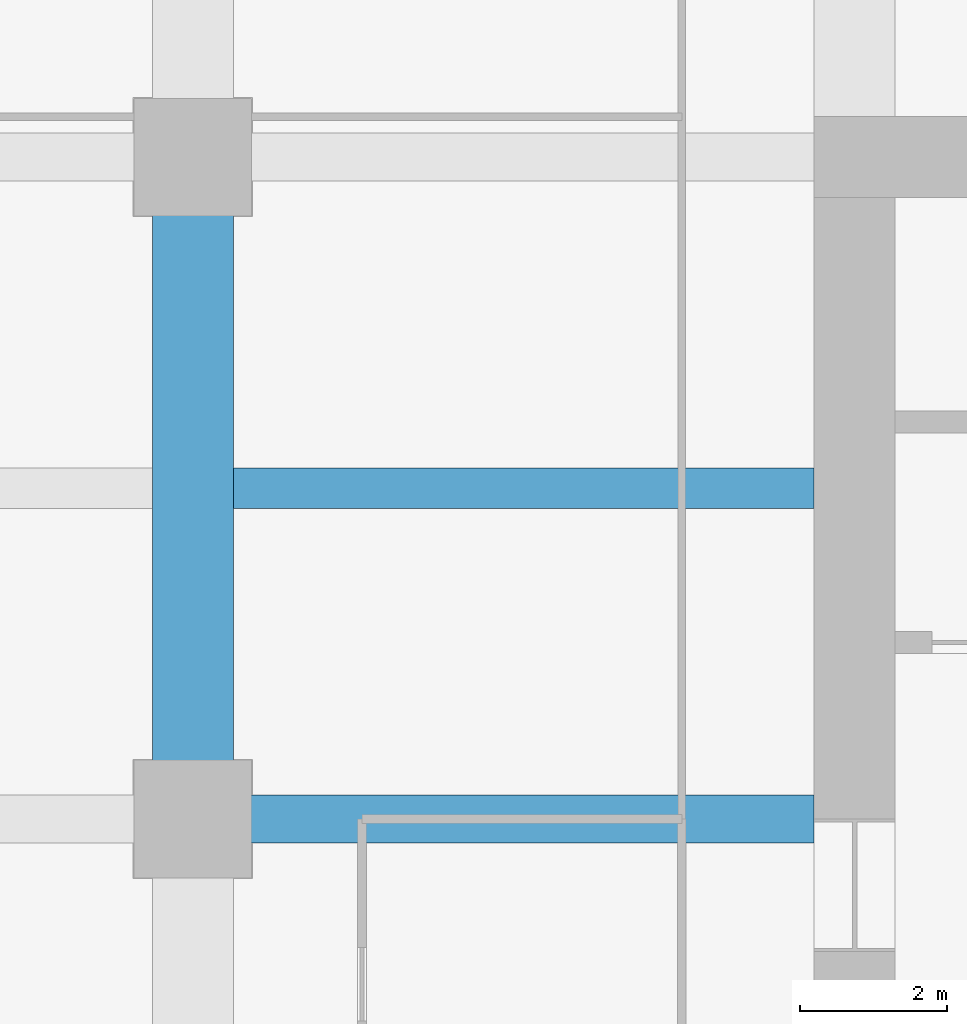
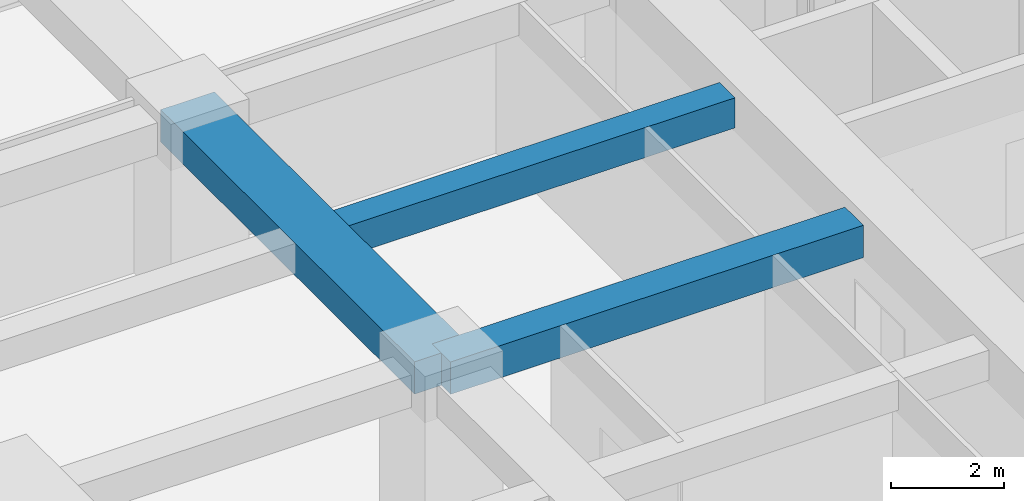
# One storey, part 12 of 32: 3 beams.
"""IFC4 building model written with IfcOpenShell, lengths in metres."""

from ifc_helpers import new_model, si_unit, direction, frame, origin, origin_2d, place, context, subcontext, project, spatial, rectangle, extrude, material, material_profile, profile_set, type_object, element, save


model = new_model("IFC4")

# Units and contexts
model_context = context("Model", 3, precision=1e-05, world=origin(), true_north=direction((0.0, 1.0)))
body_context = subcontext(model_context, "Body", "Model", "MODEL_VIEW")
ifc_project = project(units=[si_unit("LENGTHUNIT", "METRE"), si_unit("AREAUNIT", "SQUARE_METRE"), si_unit("VOLUMEUNIT", "CUBIC_METRE"), si_unit("PLANEANGLEUNIT", "RADIAN"), si_unit("MASSUNIT", "GRAM", prefix="KILO")], contexts=[model_context])

# Site, building, storey
site_placement = place(None, origin())
site = spatial("IfcSite", under=ifc_project, at=site_placement, CompositionType="ELEMENT")
building_placement = place(site_placement, origin())
building = spatial("IfcBuilding", under=site, at=building_placement, Name="Zorevar Civic Tower", CompositionType="ELEMENT")
storey_placement = place(building_placement, frame((0.0, 0.0, 182.199951171875)))
storey = spatial("IfcBuildingStorey", under=building, at=storey_placement, Name="L44", CompositionType="ELEMENT", Elevation=182.199951171875)

# Beams
ifc_material_1 = material(Name="Concrete C50/60", Category="concrete")
ifc_material_profile_1 = material_profile(ifc_material_1, rectangle(XDim=1.10009765625, YDim=0.699951171875, at=origin_2d()), Name="RC 1100x700")
ifc_profile_set_1 = profile_set([ifc_material_profile_1], Name="Concrete C50/60")
beam_type_1 = type_object("IfcBeamType", Name="Beam RC 1100x700", PredefinedType="BEAM", material=ifc_profile_set_1)
beam_1_placement = place(storey_placement, frame((9.0, 27.0, 3.400146484375), z_axis=(0.0, 1.0, 0.0), x_axis=(-1.0, 0.0, 0.0)))
element("IfcBeam", 1, at=beam_1_placement, inside=storey, type_object=beam_type_1, Name="Girder L45", PredefinedType="BEAM", context=body_context, shape_type="SweptSolid", body=[
    extrude(rectangle(XDim=1.10009765625, YDim=0.699951171875, at=origin_2d()), origin(), (0.0, 0.0, 1.0), 9.0),
])
ifc_material_2 = material(Name="Concrete C50/60", Category="concrete")
ifc_material_profile_2 = material_profile(ifc_material_2, rectangle(XDim=0.550048828125, YDim=0.64990234375, at=origin_2d()), Name="RC 550x650")
ifc_profile_set_2 = profile_set([ifc_material_profile_2], Name="Concrete C50/60")
beam_type_2 = type_object("IfcBeamType", Name="Beam RC 550x650", PredefinedType="BEAM", material=ifc_profile_set_2)
beam_2_placement = place(storey_placement, frame((9.550048828125, 31.5, 3.425048828125), z_axis=(1.0, 0.0, 0.0), x_axis=(0.0, 1.0, 0.0)))
element("IfcBeam", 2, at=beam_2_placement, inside=storey, type_object=beam_type_2, Name="Secondary beam L45", PredefinedType="BEAM", context=body_context, shape_type="SweptSolid", body=[
    extrude(rectangle(XDim=0.550048828125, YDim=0.64990234375, at=origin_2d()), origin(), (0.0, 0.0, 1.0), 7.89990234375),
])
ifc_material_3 = material(Name="Concrete C50/60", Category="concrete")
ifc_material_profile_3 = material_profile(ifc_material_3, rectangle(XDim=0.64990234375, YDim=0.699951171875, at=origin_2d()), Name="RC 650x700")
ifc_profile_set_3 = profile_set([ifc_material_profile_3], Name="Concrete C50/60")
beam_type_3 = type_object("IfcBeamType", Name="Beam RC 650x700", PredefinedType="BEAM", material=ifc_profile_set_3)
beam_3_placement = place(storey_placement, frame((9.0, 27.0, 3.400146484375), z_axis=(1.0, 0.0, 0.0), x_axis=(0.0, 1.0, 0.0)))
element("IfcBeam", 3, at=beam_3_placement, inside=storey, type_object=beam_type_3, Name="Girder L45", PredefinedType="BEAM", context=body_context, shape_type="SweptSolid", body=[
    extrude(rectangle(XDim=0.64990234375, YDim=0.699951171875, at=origin_2d()), origin(), (0.0, 0.0, 1.0), 8.449951171875),
])

save(model, "model.ifc")
